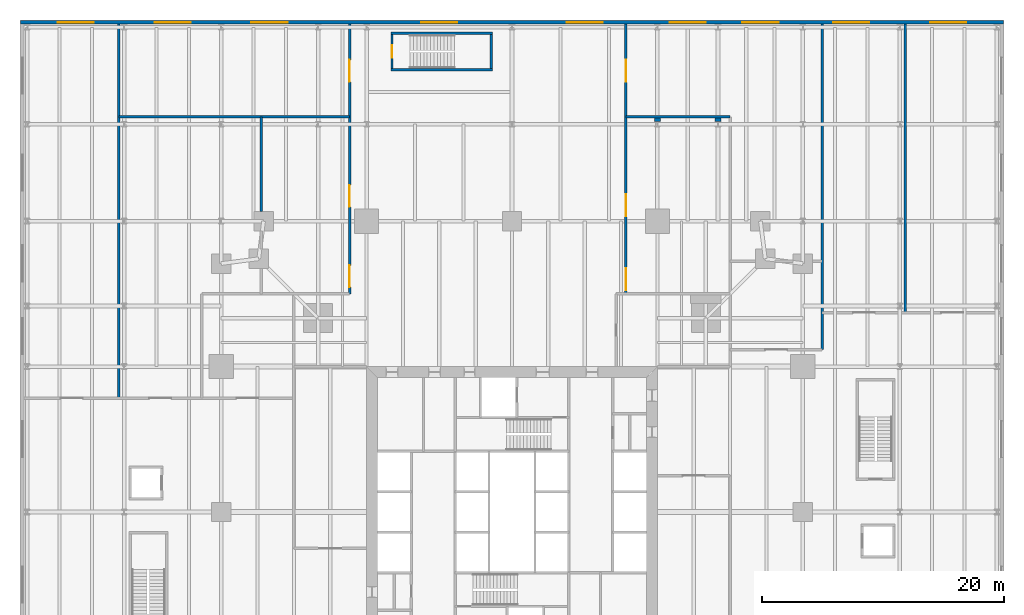
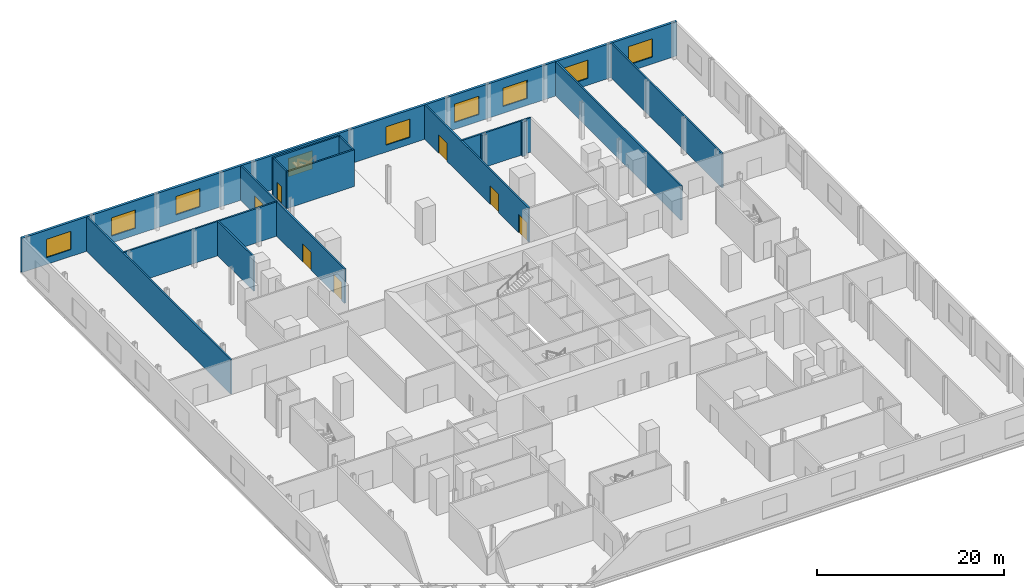
# One storey, part 14 of 16: 15 walls, 9 windows, 7 doors, 16 openings.
"""IFC4 building model written with IfcOpenShell, lengths in metres."""

from ifc_helpers import new_model, si_unit, direction, frame, frame_2d, origin, place, context, subcontext, project, spatial, rectangle, extrude, material, layer, layer_set, type_object, element, fill, save


model = new_model("IFC4")

# Units and contexts
model_context = context("Model", 3, precision=1e-05, world=origin(), true_north=direction((0.0, 1.0)))
body_context = subcontext(model_context, "Body", "Model", "MODEL_VIEW")
ifc_project = project(units=[si_unit("LENGTHUNIT", "METRE"), si_unit("AREAUNIT", "SQUARE_METRE"), si_unit("VOLUMEUNIT", "CUBIC_METRE"), si_unit("PLANEANGLEUNIT", "RADIAN"), si_unit("MASSUNIT", "GRAM", prefix="KILO")], contexts=[model_context])

# Site, building, storey
site_placement = place(None, origin())
site = spatial("IfcSite", under=ifc_project, at=site_placement, CompositionType="ELEMENT")
building_placement = place(site_placement, origin())
building = spatial("IfcBuilding", under=site, at=building_placement, Name="Fenwick Lantern Interchange", CompositionType="ELEMENT")
storey_placement = place(building_placement, frame((0.0, 0.0, 7.0)))
storey = spatial("IfcBuildingStorey", under=building, at=storey_placement, Name="L01", CompositionType="ELEMENT", Elevation=7.0)

# Walls
ifc_material_1 = material(Name="Fire-rated gypsum board encasement on steel studs, 2 hour", Category="steel")
ifc_layer_1 = layer(ifc_material_1, 0.51708984375)
ifc_layer_set_1 = layer_set([ifc_layer_1], Name="COLUMN PIER 517")
wall_type_1 = type_object("IfcWallType", Name="COLUMN PIER 517", PredefinedType="PARTITIONING", material=ifc_layer_set_1)
for number, where, z_axis, x_axis, name in (
    (1, (37.0, 57.5, 0.0), (0.0, 0.0, 1.0), (0.0, -1.0, 0.0), "L01/W/PIER/PK7"),
    (2, (42.0, 57.5, 0.0), (0.0, 0.0, 1.0), (0.0, -1.0, 0.0), "L01/W/PIER/PK8"),
):
    element("IfcWall", number, at=place(storey_placement, frame(where, z_axis=z_axis, x_axis=x_axis)), inside=storey, type_object=wall_type_1, Name=name, PredefinedType="PARTITIONING", context=body_context, shape_type="SweptSolid", body=[
        extrude(rectangle(XDim=0.27783203125, YDim=0.51708984375, at=frame_2d((0.138916015625, 0.0))), origin(), (0.0, 0.0, 1.0), 4.5),
    ])

# Wall, openings, windows
ifc_material_2 = material(Name="Limestone ASTM C568 Classification II", Category="masonry")
ifc_layer_2 = layer(ifc_material_2, 0.074951171875)
ifc_material_3 = material(Name="Mineral wool insulation")
ifc_layer_3 = layer(ifc_material_3, 0.125)
ifc_material_4 = material(Name="Cold-formed galvanised steel studs", Category="steel")
ifc_layer_4 = layer(ifc_material_4, 0.10009765625)
ifc_layer_set_2 = layer_set([ifc_layer_2, ifc_layer_3, ifc_layer_4], Name="Limestone ASTM C568 Classification II")
wall_type_2 = type_object("IfcWallType", Name="LIMESTONE RAINSCREEN WALL 300", PredefinedType="SOLIDWALL", material=ifc_layer_set_2)
wall_1_placement = place(storey_placement, frame((65.550048828125, 65.39990234375, 0.0), z_axis=(0.0, 0.0, 1.0), x_axis=(-1.0, 0.0, 0.0)))
wall_1 = element("IfcWall", 3, at=wall_1_placement, inside=storey, type_object=wall_type_2, Name="L01/EW/N", PredefinedType="SOLIDWALL", context=body_context, shape_type="SweptSolid", body=[
    extrude(rectangle(XDim=81.10009765625, YDim=0.300048828125, at=frame_2d((40.550048828125, 0.0))), origin(), (0.0, 0.0, 1.0), 4.5),
])
opening_1_placement = place(wall_1_placement, frame((75.050048828125, 0.0, 0.89990234375)))
opening_1 = element("IfcOpeningElement", 4, at=opening_1_placement, cuts=wall_1, Name="Opening W1", PredefinedType="OPENING", context=body_context, shape_type="SweptSolid", body=[
    extrude(rectangle(XDim=3.0, YDim=2.39990234375, at=frame_2d((1.5, 1.199951171875))), frame((0.0, 0.159912109375, 0.0), z_axis=(0.0, -1.0, 0.0), x_axis=(1.0, 0.0, 0.0)), (0.0, 0.0, 1.0), 0.320068359375),
])
opening_2_placement = place(wall_1_placement, frame((67.050048828125, 0.0, 0.89990234375)))
opening_2 = element("IfcOpeningElement", 5, at=opening_2_placement, cuts=wall_1, Name="Opening W1", PredefinedType="OPENING", context=body_context, shape_type="SweptSolid", body=[
    extrude(rectangle(XDim=3.0, YDim=2.39990234375, at=frame_2d((1.5, 1.199951171875))), frame((0.0, 0.159912109375, 0.0), z_axis=(0.0, -1.0, 0.0), x_axis=(1.0, 0.0, 0.0)), (0.0, 0.0, 1.0), 0.320068359375),
])
opening_3_placement = place(wall_1_placement, frame((59.050048828125, 0.0, 0.89990234375)))
opening_3 = element("IfcOpeningElement", 6, at=opening_3_placement, cuts=wall_1, Name="Opening W1", PredefinedType="OPENING", context=body_context, shape_type="SweptSolid", body=[
    extrude(rectangle(XDim=3.0, YDim=2.39990234375, at=frame_2d((1.5, 1.199951171875))), frame((0.0, 0.159912109375, 0.0), z_axis=(0.0, -1.0, 0.0), x_axis=(1.0, 0.0, 0.0)), (0.0, 0.0, 1.0), 0.320068359375),
])
opening_4_placement = place(wall_1_placement, frame((45.050048828125, 0.0, 0.89990234375)))
opening_4 = element("IfcOpeningElement", 7, at=opening_4_placement, cuts=wall_1, Name="Opening W1", PredefinedType="OPENING", context=body_context, shape_type="SweptSolid", body=[
    extrude(rectangle(XDim=3.0, YDim=2.39990234375, at=frame_2d((1.5, 1.199951171875))), frame((0.0, 0.159912109375, 0.0), z_axis=(0.0, -1.0, 0.0), x_axis=(1.0, 0.0, 0.0)), (0.0, 0.0, 1.0), 0.320068359375),
])
opening_5_placement = place(wall_1_placement, frame((33.050048828125, 0.0, 0.89990234375)))
opening_5 = element("IfcOpeningElement", 8, at=opening_5_placement, cuts=wall_1, Name="Opening W1", PredefinedType="OPENING", context=body_context, shape_type="SweptSolid", body=[
    extrude(rectangle(XDim=3.0, YDim=2.39990234375, at=frame_2d((1.5, 1.199951171875))), frame((0.0, 0.159912109375, 0.0), z_axis=(0.0, -1.0, 0.0), x_axis=(1.0, 0.0, 0.0)), (0.0, 0.0, 1.0), 0.320068359375),
])
opening_6_placement = place(wall_1_placement, frame((24.550048828125, 0.0, 0.89990234375)))
opening_6 = element("IfcOpeningElement", 9, at=opening_6_placement, cuts=wall_1, Name="Opening W1", PredefinedType="OPENING", context=body_context, shape_type="SweptSolid", body=[
    extrude(rectangle(XDim=3.0, YDim=2.39990234375, at=frame_2d((1.5, 1.199951171875))), frame((0.0, 0.159912109375, 0.0), z_axis=(0.0, -1.0, 0.0), x_axis=(1.0, 0.0, 0.0)), (0.0, 0.0, 1.0), 0.320068359375),
])
opening_7_placement = place(wall_1_placement, frame((18.550048828125, 0.0, 0.89990234375)))
opening_7 = element("IfcOpeningElement", 10, at=opening_7_placement, cuts=wall_1, Name="Opening W1", PredefinedType="OPENING", context=body_context, shape_type="SweptSolid", body=[
    extrude(rectangle(XDim=3.0, YDim=2.39990234375, at=frame_2d((1.5, 1.199951171875))), frame((0.0, 0.159912109375, 0.0), z_axis=(0.0, -1.0, 0.0), x_axis=(1.0, 0.0, 0.0)), (0.0, 0.0, 1.0), 0.320068359375),
])
opening_8_placement = place(wall_1_placement, frame((11.050048828125, 0.0, 0.89990234375)))
opening_8 = element("IfcOpeningElement", 11, at=opening_8_placement, cuts=wall_1, Name="Opening W1", PredefinedType="OPENING", context=body_context, shape_type="SweptSolid", body=[
    extrude(rectangle(XDim=3.0, YDim=2.39990234375, at=frame_2d((1.5, 1.199951171875))), frame((0.0, 0.159912109375, 0.0), z_axis=(0.0, -1.0, 0.0), x_axis=(1.0, 0.0, 0.0)), (0.0, 0.0, 1.0), 0.320068359375),
])
opening_9_placement = place(wall_1_placement, frame((3.050048828125, 0.0, 0.89990234375)))
opening_9 = element("IfcOpeningElement", 12, at=opening_9_placement, cuts=wall_1, Name="Opening W1", PredefinedType="OPENING", context=body_context, shape_type="SweptSolid", body=[
    extrude(rectangle(XDim=3.0, YDim=2.39990234375, at=frame_2d((1.5, 1.199951171875))), frame((0.0, 0.159912109375, 0.0), z_axis=(0.0, -1.0, 0.0), x_axis=(1.0, 0.0, 0.0)), (0.0, 0.0, 1.0), 0.320068359375),
])
ifc_material_5 = material(Name="Aluminium window, clear glass", Category="aluminium")
window_type = type_object("IfcWindowType", Name="PODIUM WINDOW 3000 X 2400", PartitioningType="SINGLE_PANEL", PredefinedType="WINDOW", material=ifc_material_5)
window_1_placement = place(opening_1_placement, origin())
window_1 = element("IfcWindow", 13, at=window_1_placement, inside=storey, type_object=window_type, Name="Podium window", OverallHeight=2.39990234375, OverallWidth=3.0, PartitioningType="SINGLE_PANEL", PredefinedType="WINDOW", context=body_context, shape_type="SweptSolid", body=[
    extrude(rectangle(XDim=3.0, YDim=2.39990234375, at=frame_2d((1.5, 1.199951171875))), frame((0.0, 0.030029296875, 0.0), z_axis=(0.0, -1.0, 0.0), x_axis=(1.0, 0.0, 0.0)), (0.0, 0.0, 1.0), 0.06005859375),
])
fill(opening_1, window_1)
window_2_placement = place(opening_2_placement, origin())
window_2 = element("IfcWindow", 14, at=window_2_placement, inside=storey, type_object=window_type, Name="Podium window", OverallHeight=2.39990234375, OverallWidth=3.0, PartitioningType="SINGLE_PANEL", PredefinedType="WINDOW", context=body_context, shape_type="SweptSolid", body=[
    extrude(rectangle(XDim=3.0, YDim=2.39990234375, at=frame_2d((1.5, 1.199951171875))), frame((0.0, 0.030029296875, 0.0), z_axis=(0.0, -1.0, 0.0), x_axis=(1.0, 0.0, 0.0)), (0.0, 0.0, 1.0), 0.06005859375),
])
fill(opening_2, window_2)
window_3_placement = place(opening_3_placement, origin())
window_3 = element("IfcWindow", 15, at=window_3_placement, inside=storey, type_object=window_type, Name="Podium window", OverallHeight=2.39990234375, OverallWidth=3.0, PartitioningType="SINGLE_PANEL", PredefinedType="WINDOW", context=body_context, shape_type="SweptSolid", body=[
    extrude(rectangle(XDim=3.0, YDim=2.39990234375, at=frame_2d((1.5, 1.199951171875))), frame((0.0, 0.030029296875, 0.0), z_axis=(0.0, -1.0, 0.0), x_axis=(1.0, 0.0, 0.0)), (0.0, 0.0, 1.0), 0.06005859375),
])
fill(opening_3, window_3)
window_4_placement = place(opening_4_placement, origin())
window_4 = element("IfcWindow", 16, at=window_4_placement, inside=storey, type_object=window_type, Name="Podium window", OverallHeight=2.39990234375, OverallWidth=3.0, PartitioningType="SINGLE_PANEL", PredefinedType="WINDOW", context=body_context, shape_type="SweptSolid", body=[
    extrude(rectangle(XDim=3.0, YDim=2.39990234375, at=frame_2d((1.5, 1.199951171875))), frame((0.0, 0.030029296875, 0.0), z_axis=(0.0, -1.0, 0.0), x_axis=(1.0, 0.0, 0.0)), (0.0, 0.0, 1.0), 0.06005859375),
])
fill(opening_4, window_4)
window_5_placement = place(opening_5_placement, origin())
window_5 = element("IfcWindow", 17, at=window_5_placement, inside=storey, type_object=window_type, Name="Podium window", OverallHeight=2.39990234375, OverallWidth=3.0, PartitioningType="SINGLE_PANEL", PredefinedType="WINDOW", context=body_context, shape_type="SweptSolid", body=[
    extrude(rectangle(XDim=3.0, YDim=2.39990234375, at=frame_2d((1.5, 1.199951171875))), frame((0.0, 0.030029296875, 0.0), z_axis=(0.0, -1.0, 0.0), x_axis=(1.0, 0.0, 0.0)), (0.0, 0.0, 1.0), 0.06005859375),
])
fill(opening_5, window_5)
window_6_placement = place(opening_6_placement, origin())
window_6 = element("IfcWindow", 18, at=window_6_placement, inside=storey, type_object=window_type, Name="Podium window", OverallHeight=2.39990234375, OverallWidth=3.0, PartitioningType="SINGLE_PANEL", PredefinedType="WINDOW", context=body_context, shape_type="SweptSolid", body=[
    extrude(rectangle(XDim=3.0, YDim=2.39990234375, at=frame_2d((1.5, 1.199951171875))), frame((0.0, 0.030029296875, 0.0), z_axis=(0.0, -1.0, 0.0), x_axis=(1.0, 0.0, 0.0)), (0.0, 0.0, 1.0), 0.06005859375),
])
fill(opening_6, window_6)
window_7_placement = place(opening_7_placement, origin())
window_7 = element("IfcWindow", 19, at=window_7_placement, inside=storey, type_object=window_type, Name="Podium window", OverallHeight=2.39990234375, OverallWidth=3.0, PartitioningType="SINGLE_PANEL", PredefinedType="WINDOW", context=body_context, shape_type="SweptSolid", body=[
    extrude(rectangle(XDim=3.0, YDim=2.39990234375, at=frame_2d((1.5, 1.199951171875))), frame((0.0, 0.030029296875, 0.0), z_axis=(0.0, -1.0, 0.0), x_axis=(1.0, 0.0, 0.0)), (0.0, 0.0, 1.0), 0.06005859375),
])
fill(opening_7, window_7)
window_8_placement = place(opening_8_placement, origin())
window_8 = element("IfcWindow", 20, at=window_8_placement, inside=storey, type_object=window_type, Name="Podium window", OverallHeight=2.39990234375, OverallWidth=3.0, PartitioningType="SINGLE_PANEL", PredefinedType="WINDOW", context=body_context, shape_type="SweptSolid", body=[
    extrude(rectangle(XDim=3.0, YDim=2.39990234375, at=frame_2d((1.5, 1.199951171875))), frame((0.0, 0.030029296875, 0.0), z_axis=(0.0, -1.0, 0.0), x_axis=(1.0, 0.0, 0.0)), (0.0, 0.0, 1.0), 0.06005859375),
])
fill(opening_8, window_8)
window_9_placement = place(opening_9_placement, origin())
window_9 = element("IfcWindow", 21, at=window_9_placement, inside=storey, type_object=window_type, Name="Podium window", OverallHeight=2.39990234375, OverallWidth=3.0, PartitioningType="SINGLE_PANEL", PredefinedType="WINDOW", context=body_context, shape_type="SweptSolid", body=[
    extrude(rectangle(XDim=3.0, YDim=2.39990234375, at=frame_2d((1.5, 1.199951171875))), frame((0.0, 0.030029296875, 0.0), z_axis=(0.0, -1.0, 0.0), x_axis=(1.0, 0.0, 0.0)), (0.0, 0.0, 1.0), 0.06005859375),
])
fill(opening_9, window_9)

# Walls
ifc_material_6 = material(Name="Gypsum board on steel studs, 1 hour", Category="steel")
ifc_layer_5 = layer(ifc_material_6, 0.199951171875)
ifc_layer_set_3 = layer_set([ifc_layer_5], Name="ROOM WALL 200")
wall_type_3 = type_object("IfcWallType", Name="ROOM WALL 200", PredefinedType="PARTITIONING", material=ifc_layer_set_3)
wall_2_placement = place(storey_placement, frame((-7.449951171875, 34.39990234375, 0.0), z_axis=(0.0, 0.0, 1.0), x_axis=(0.0, 1.0, 0.0)))
element("IfcWall", 22, at=wall_2_placement, inside=storey, type_object=wall_type_3, Name="L01/W/POD/X-7.45-2", PredefinedType="PARTITIONING", context=body_context, shape_type="SweptSolid", body=[
    extrude(rectangle(XDim=30.85009765625, YDim=0.199951171875, at=frame_2d((15.425048828125, 0.0))), origin(), (0.0, 0.0, 1.0), 4.5),
])
wall_3_placement = place(storey_placement, frame((4.300048828125, 49.800048828125, 0.0), z_axis=(0.0, 0.0, 1.0), x_axis=(0.0, 1.0, 0.0)))
element("IfcWall", 23, at=wall_3_placement, inside=storey, type_object=wall_type_3, Name="L01/W/POD/X4.3-6", PredefinedType="PARTITIONING", context=body_context, shape_type="SweptSolid", body=[
    extrude(rectangle(XDim=7.800048828125, YDim=0.199951171875, at=frame_2d((3.89990234375, 0.0))), origin(), (0.0, 0.0, 1.0), 4.5),
])

# Wall, openings, doors
wall_4_placement = place(storey_placement, frame((11.60009765625, 43.0, 0.0), z_axis=(0.0, 0.0, 1.0), x_axis=(0.0, 1.0, 0.0)))
wall_4 = element("IfcWall", 24, at=wall_4_placement, inside=storey, type_object=wall_type_3, Name="L01/W/POD/X11.6-2", PredefinedType="PARTITIONING", context=body_context, shape_type="SweptSolid", body=[
    extrude(rectangle(XDim=22.25, YDim=0.199951171875, at=frame_2d((11.125, 0.0))), origin(), (0.0, 0.0, 1.0), 4.5),
])
opening_10_placement = place(wall_4_placement, frame((7.175048828125, 0.0, 0.0)))
opening_10 = element("IfcOpeningElement", 25, at=opening_10_placement, cuts=wall_4, Name="Opening L01-D046", PredefinedType="OPENING", context=body_context, shape_type="SweptSolid", body=[
    extrude(rectangle(XDim=1.800048828125, YDim=2.39990234375, at=frame_2d((0.89990234375, 1.199951171875))), frame((0.0, 0.10986328125, 0.0), z_axis=(0.0, -1.0, 0.0), x_axis=(1.0, 0.0, 0.0)), (0.0, 0.0, 1.0), 0.219970703125),
])
opening_11_placement = place(wall_4_placement, frame((0.550048828125, 0.0, 0.0)))
opening_11 = element("IfcOpeningElement", 26, at=opening_11_placement, cuts=wall_4, Name="Opening L01-D047", PredefinedType="OPENING", context=body_context, shape_type="SweptSolid", body=[
    extrude(rectangle(XDim=1.800048828125, YDim=2.39990234375, at=frame_2d((0.89990234375, 1.199951171875))), frame((0.0, 0.10986328125, 0.0), z_axis=(0.0, -1.0, 0.0), x_axis=(1.0, 0.0, 0.0)), (0.0, 0.0, 1.0), 0.219970703125),
])
opening_12_placement = place(wall_4_placement, frame((17.5, 0.0, 0.0)))
opening_12 = element("IfcOpeningElement", 27, at=opening_12_placement, cuts=wall_4, Name="Opening L01-D048", PredefinedType="OPENING", context=body_context, shape_type="SweptSolid", body=[
    extrude(rectangle(XDim=1.800048828125, YDim=2.39990234375, at=frame_2d((0.89990234375, 1.199951171875))), frame((0.0, 0.10986328125, 0.0), z_axis=(0.0, -1.0, 0.0), x_axis=(1.0, 0.0, 0.0)), (0.0, 0.0, 1.0), 0.219970703125),
])
ifc_material_7 = material(Name="Steel door and frame", Category="steel")
door_type_1 = type_object("IfcDoorType", Name="ROOM DOOR PAIR 1800 X 2400", OperationType="DOUBLE_DOOR_SINGLE_SWING", PredefinedType="DOOR", material=ifc_material_7)
door_1_placement = place(opening_10_placement, frame((1.800048828125, 0.0, 0.0), z_axis=(0.0, 0.0, 1.0), x_axis=(-1.0, 0.0, 0.0)))
door_1 = element("IfcDoor", 28, at=door_1_placement, inside=storey, type_object=door_type_1, Name="Room door pair", OperationType="DOUBLE_DOOR_SINGLE_SWING", OverallHeight=2.39990234375, OverallWidth=1.800048828125, PredefinedType="DOOR", context=body_context, shape_type="SweptSolid", body=[
    extrude(rectangle(XDim=1.800048828125, YDim=2.39990234375, at=frame_2d((0.89990234375, 1.199951171875))), frame((0.0, 0.02490234375, 0.0), z_axis=(0.0, -1.0, 0.0), x_axis=(1.0, 0.0, 0.0)), (0.0, 0.0, 1.0), 0.050048828125),
])
fill(opening_10, door_1)
door_2_placement = place(opening_11_placement, frame((1.800048828125, 0.0, 0.0), z_axis=(0.0, 0.0, 1.0), x_axis=(-1.0, 0.0, 0.0)))
door_2 = element("IfcDoor", 29, at=door_2_placement, inside=storey, type_object=door_type_1, Name="Room door pair", OperationType="DOUBLE_DOOR_SINGLE_SWING", OverallHeight=2.39990234375, OverallWidth=1.800048828125, PredefinedType="DOOR", context=body_context, shape_type="SweptSolid", body=[
    extrude(rectangle(XDim=1.800048828125, YDim=2.39990234375, at=frame_2d((0.89990234375, 1.199951171875))), frame((0.0, 0.02490234375, 0.0), z_axis=(0.0, -1.0, 0.0), x_axis=(1.0, 0.0, 0.0)), (0.0, 0.0, 1.0), 0.050048828125),
])
fill(opening_11, door_2)
door_3_placement = place(opening_12_placement, frame((1.800048828125, 0.0, 0.0), z_axis=(0.0, 0.0, 1.0), x_axis=(-1.0, 0.0, 0.0)))
door_3 = element("IfcDoor", 30, at=door_3_placement, inside=storey, type_object=door_type_1, Name="Room door pair", OperationType="DOUBLE_DOOR_SINGLE_SWING", OverallHeight=2.39990234375, OverallWidth=1.800048828125, PredefinedType="DOOR", context=body_context, shape_type="SweptSolid", body=[
    extrude(rectangle(XDim=1.800048828125, YDim=2.39990234375, at=frame_2d((0.89990234375, 1.199951171875))), frame((0.0, 0.02490234375, 0.0), z_axis=(0.0, -1.0, 0.0), x_axis=(1.0, 0.0, 0.0)), (0.0, 0.0, 1.0), 0.050048828125),
])
fill(opening_12, door_3)

wall_5_placement = place(storey_placement, frame((34.39990234375, 43.0, 0.0), z_axis=(0.0, 0.0, 1.0), x_axis=(0.0, 1.0, 0.0)))
wall_5 = element("IfcWall", 31, at=wall_5_placement, inside=storey, type_object=wall_type_3, Name="L01/W/POD/X34.4-2", PredefinedType="PARTITIONING", context=body_context, shape_type="SweptSolid", body=[
    extrude(rectangle(XDim=22.25, YDim=0.199951171875, at=frame_2d((11.125, 0.0))), origin(), (0.0, 0.0, 1.0), 4.5),
])
opening_13_placement = place(wall_5_placement, frame((6.425048828125, 0.0, 0.0)))
opening_13 = element("IfcOpeningElement", 32, at=opening_13_placement, cuts=wall_5, Name="Opening L01-D040", PredefinedType="OPENING", context=body_context, shape_type="SweptSolid", body=[
    extrude(rectangle(XDim=1.800048828125, YDim=2.39990234375, at=frame_2d((0.89990234375, 1.199951171875))), frame((0.0, 0.10986328125, 0.0), z_axis=(0.0, -1.0, 0.0), x_axis=(1.0, 0.0, 0.0)), (0.0, 0.0, 1.0), 0.219970703125),
])
opening_14_placement = place(wall_5_placement, frame((0.300048828125, 0.0, 0.0)))
opening_14 = element("IfcOpeningElement", 33, at=opening_14_placement, cuts=wall_5, Name="Opening L01-D041", PredefinedType="OPENING", context=body_context, shape_type="SweptSolid", body=[
    extrude(rectangle(XDim=1.800048828125, YDim=2.39990234375, at=frame_2d((0.89990234375, 1.199951171875))), frame((0.0, 0.10986328125, 0.0), z_axis=(0.0, -1.0, 0.0), x_axis=(1.0, 0.0, 0.0)), (0.0, 0.0, 1.0), 0.219970703125),
])
opening_15_placement = place(wall_5_placement, frame((17.5, 0.0, 0.0)))
opening_15 = element("IfcOpeningElement", 34, at=opening_15_placement, cuts=wall_5, Name="Opening L01-D042", PredefinedType="OPENING", context=body_context, shape_type="SweptSolid", body=[
    extrude(rectangle(XDim=1.800048828125, YDim=2.39990234375, at=frame_2d((0.89990234375, 1.199951171875))), frame((0.0, 0.10986328125, 0.0), z_axis=(0.0, -1.0, 0.0), x_axis=(1.0, 0.0, 0.0)), (0.0, 0.0, 1.0), 0.219970703125),
])
door_4_placement = place(opening_13_placement, origin())
door_4 = element("IfcDoor", 35, at=door_4_placement, inside=storey, type_object=door_type_1, Name="Room door pair", OperationType="DOUBLE_DOOR_SINGLE_SWING", OverallHeight=2.39990234375, OverallWidth=1.800048828125, PredefinedType="DOOR", context=body_context, shape_type="SweptSolid", body=[
    extrude(rectangle(XDim=1.800048828125, YDim=2.39990234375, at=frame_2d((0.89990234375, 1.199951171875))), frame((0.0, 0.02490234375, 0.0), z_axis=(0.0, -1.0, 0.0), x_axis=(1.0, 0.0, 0.0)), (0.0, 0.0, 1.0), 0.050048828125),
])
fill(opening_13, door_4)
door_5_placement = place(opening_14_placement, origin())
door_5 = element("IfcDoor", 36, at=door_5_placement, inside=storey, type_object=door_type_1, Name="Room door pair", OperationType="DOUBLE_DOOR_SINGLE_SWING", OverallHeight=2.39990234375, OverallWidth=1.800048828125, PredefinedType="DOOR", context=body_context, shape_type="SweptSolid", body=[
    extrude(rectangle(XDim=1.800048828125, YDim=2.39990234375, at=frame_2d((0.89990234375, 1.199951171875))), frame((0.0, 0.02490234375, 0.0), z_axis=(0.0, -1.0, 0.0), x_axis=(1.0, 0.0, 0.0)), (0.0, 0.0, 1.0), 0.050048828125),
])
fill(opening_14, door_5)
door_6_placement = place(opening_15_placement, origin())
door_6 = element("IfcDoor", 37, at=door_6_placement, inside=storey, type_object=door_type_1, Name="Room door pair", OperationType="DOUBLE_DOOR_SINGLE_SWING", OverallHeight=2.39990234375, OverallWidth=1.800048828125, PredefinedType="DOOR", context=body_context, shape_type="SweptSolid", body=[
    extrude(rectangle(XDim=1.800048828125, YDim=2.39990234375, at=frame_2d((0.89990234375, 1.199951171875))), frame((0.0, 0.02490234375, 0.0), z_axis=(0.0, -1.0, 0.0), x_axis=(1.0, 0.0, 0.0)), (0.0, 0.0, 1.0), 0.050048828125),
])
fill(opening_15, door_6)

# Walls
wall_6_placement = place(storey_placement, frame((50.60009765625, 38.39990234375, 0.0), z_axis=(0.0, 0.0, 1.0), x_axis=(0.0, 1.0, 0.0)))
element("IfcWall", 38, at=wall_6_placement, inside=storey, type_object=wall_type_3, Name="L01/W/POD/X50.6-2", PredefinedType="PARTITIONING", context=body_context, shape_type="SweptSolid", body=[
    extrude(rectangle(XDim=26.85009765625, YDim=0.199951171875, at=frame_2d((13.425048828125, 0.0))), origin(), (0.0, 0.0, 1.0), 4.5),
])
wall_7_placement = place(storey_placement, frame((57.449951171875, 41.449951171875, 0.0), z_axis=(0.0, 0.0, 1.0), x_axis=(0.0, 1.0, 0.0)))
element("IfcWall", 39, at=wall_7_placement, inside=storey, type_object=wall_type_3, Name="L01/W/POD/X57.45-2", PredefinedType="PARTITIONING", context=body_context, shape_type="SweptSolid", body=[
    extrude(rectangle(XDim=23.800048828125, YDim=0.199951171875, at=frame_2d((11.89990234375, 0.0))), origin(), (0.0, 0.0, 1.0), 4.5),
])
wall_8_placement = place(storey_placement, frame((-7.449951171875, 57.60009765625, 0.0), z_axis=(0.0, 0.0, 1.0), x_axis=(1.0, 0.0, 0.0)))
element("IfcWall", 40, at=wall_8_placement, inside=storey, type_object=wall_type_3, Name="L01/W/POD/Y57.6-1", PredefinedType="PARTITIONING", context=body_context, shape_type="SweptSolid", body=[
    extrude(rectangle(XDim=19.050048828125, YDim=0.199951171875, at=frame_2d((9.52490234375, 0.0))), origin(), (0.0, 0.0, 1.0), 4.5),
])
wall_9_placement = place(storey_placement, frame((34.39990234375, 57.60009765625, 0.0), z_axis=(0.0, 0.0, 1.0), x_axis=(1.0, 0.0, 0.0)))
element("IfcWall", 41, at=wall_9_placement, inside=storey, type_object=wall_type_3, Name="L01/W/POD/Y57.6-2", PredefinedType="PARTITIONING", context=body_context, shape_type="SweptSolid", body=[
    extrude(rectangle(XDim=8.60009765625, YDim=0.199951171875, at=frame_2d((4.300048828125, 0.0))), origin(), (0.0, 0.0, 1.0), 4.5),
])
ifc_material_8 = material(Name="Reinforced concrete masonry ASTM C90 Grade N", Category="masonry")
ifc_layer_6 = layer(ifc_material_8, 0.199951171875)
ifc_layer_set_4 = layer_set([ifc_layer_6], Name="Reinforced concrete masonry ASTM C90 Grade N")
wall_type_4 = type_object("IfcWallType", Name="STAIR ENCLOSURE 200", PredefinedType="SOLIDWALL", material=ifc_layer_set_4)
wall_10_placement = place(storey_placement, frame((15.0, 61.5, 0.0), z_axis=(0.0, 0.0, 1.0), x_axis=(1.0, 0.0, 0.0)))
element("IfcWall", 42, at=wall_10_placement, inside=storey, type_object=wall_type_4, Name="L01/W/PS1/S", PredefinedType="SOLIDWALL", context=body_context, shape_type="SweptSolid", body=[
    extrude(rectangle(XDim=8.39990234375, YDim=0.199951171875, at=frame_2d((4.199951171875, 0.0))), origin(), (0.0, 0.0, 1.0), 4.800048828125),
])
wall_11_placement = place(storey_placement, frame((23.300048828125, 61.60009765625, 0.0), z_axis=(0.0, 0.0, 1.0), x_axis=(0.0, 1.0, 0.0)))
element("IfcWall", 43, at=wall_11_placement, inside=storey, type_object=wall_type_4, Name="L01/W/PS1/E", PredefinedType="SOLIDWALL", context=body_context, shape_type="SweptSolid", body=[
    extrude(rectangle(XDim=2.7998046875, YDim=0.199951171875, at=frame_2d((1.39990234375, 0.0))), origin(), (0.0, 0.0, 1.0), 4.800048828125),
])
wall_12_placement = place(storey_placement, frame((23.39990234375, 64.5, 0.0), z_axis=(0.0, 0.0, 1.0), x_axis=(-1.0, 0.0, 0.0)))
element("IfcWall", 44, at=wall_12_placement, inside=storey, type_object=wall_type_4, Name="L01/W/PS1/N", PredefinedType="SOLIDWALL", context=body_context, shape_type="SweptSolid", body=[
    extrude(rectangle(XDim=8.39990234375, YDim=0.199951171875, at=frame_2d((4.199951171875, 0.0))), origin(), (0.0, 0.0, 1.0), 4.800048828125),
])

# Wall, opening, door
wall_13_placement = place(storey_placement, frame((15.10009765625, 64.39990234375, 0.0), z_axis=(0.0, 0.0, 1.0), x_axis=(0.0, -1.0, 0.0)))
wall_13 = element("IfcWall", 45, at=wall_13_placement, inside=storey, type_object=wall_type_4, Name="L01/W/PS1/W", PredefinedType="SOLIDWALL", context=body_context, shape_type="SweptSolid", body=[
    extrude(rectangle(XDim=2.7998046875, YDim=0.199951171875, at=frame_2d((1.39990234375, 0.0))), origin(), (0.0, 0.0, 1.0), 4.800048828125),
])
opening_16_placement = place(wall_13_placement, frame((0.89990234375, 0.0, 0.0)))
opening_16 = element("IfcOpeningElement", 46, at=opening_16_placement, cuts=wall_13, Name="Opening L01-D019", PredefinedType="OPENING", context=body_context, shape_type="SweptSolid", body=[
    extrude(rectangle(XDim=1.0, YDim=2.199951171875, at=frame_2d((0.5, 1.10009765625))), frame((0.0, 0.10986328125, 0.0), z_axis=(0.0, -1.0, 0.0), x_axis=(1.0, 0.0, 0.0)), (0.0, 0.0, 1.0), 0.219970703125),
])
door_type_2 = type_object("IfcDoorType", Name="STAIR DOOR 1000 X 2200", OperationType="SINGLE_SWING_LEFT", PredefinedType="DOOR", material=ifc_material_7)
door_7_placement = place(opening_16_placement, origin())
door_7 = element("IfcDoor", 47, at=door_7_placement, inside=storey, type_object=door_type_2, Name="Stair door", OperationType="SINGLE_SWING_LEFT", OverallHeight=2.199951171875, OverallWidth=1.0, PredefinedType="DOOR", context=body_context, shape_type="SweptSolid", body=[
    extrude(rectangle(XDim=1.0, YDim=2.199951171875, at=frame_2d((0.5, 1.10009765625))), frame((0.0, 0.02490234375, 0.0), z_axis=(0.0, -1.0, 0.0), x_axis=(1.0, 0.0, 0.0)), (0.0, 0.0, 1.0), 0.050048828125),
])
fill(opening_16, door_7)

save(model, "model.ifc")
